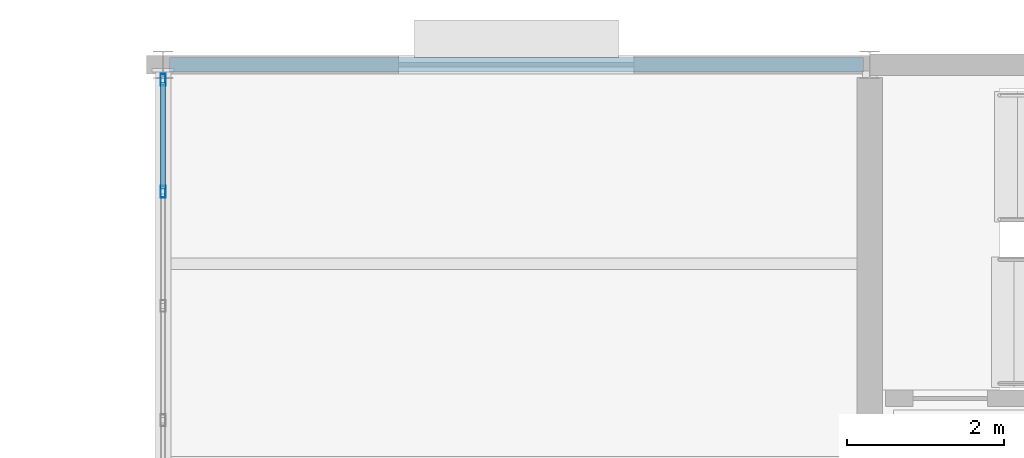
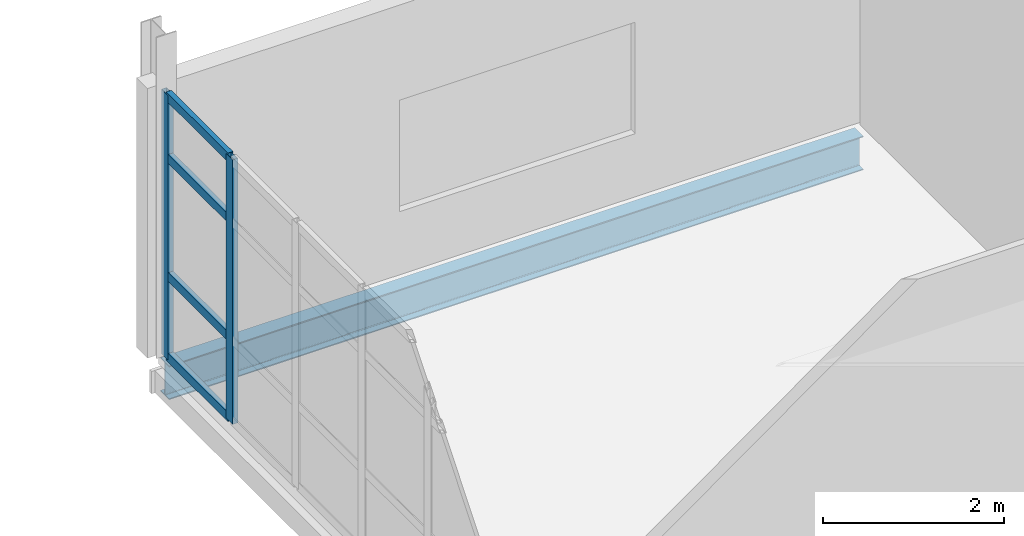
# One storey, part 110 of 174: 6 members, 1 beam, 1 element without a shape of its own.
"""IFC4 building model written with IfcOpenShell, lengths in metres."""

from ifc_helpers import new_model, si_unit, direction, frame, origin, origin_2d, place, context, subcontext, project, spatial, hollow_rectangle, i_section, extrude, material, material_profile, profile_set, type_object, element, aggregate, save


model = new_model("IFC4")

# Units and contexts
model_context = context("Model", 3, precision=1e-05, world=origin(), true_north=direction((0.0, 1.0)))
body_context = subcontext(model_context, "Body", "Model", "MODEL_VIEW")
ifc_project = project(units=[si_unit("LENGTHUNIT", "METRE"), si_unit("AREAUNIT", "SQUARE_METRE"), si_unit("VOLUMEUNIT", "CUBIC_METRE"), si_unit("PLANEANGLEUNIT", "RADIAN"), si_unit("MASSUNIT", "GRAM", prefix="KILO")], contexts=[model_context])

# Site, building, storey
site_placement = place(None, origin())
site = spatial("IfcSite", under=ifc_project, at=site_placement, CompositionType="ELEMENT")
building_placement = place(site_placement, origin())
building = spatial("IfcBuilding", under=site, at=building_placement, Name="Caisbarro Railhouse Central Library", CompositionType="ELEMENT")
storey_placement = place(building_placement, frame((0.0, 0.0, 5.0400390625)))
storey = spatial("IfcBuildingStorey", under=building, at=storey_placement, Name="L01", CompositionType="ELEMENT", Elevation=5.0400390625)

# Beam
ifc_material_1 = material(Name="Steel ASTM A572 Grade 50", Category="steel")
ifc_material_profile_1 = material_profile(ifc_material_1, i_section(OverallWidth=0.18994140625, OverallDepth=0.45703125, WebThickness=0.009033203125, FlangeThickness=0.014404296875, FilletRadius=0.01806640625, at=origin_2d()), Name="W460X74.0")
ifc_profile_set_1 = profile_set([ifc_material_profile_1], Name="Steel ASTM A572 Grade 50")
beam_type = type_object("IfcBeamType", Name="BM-SP01", PredefinedType="SPANDREL", material=ifc_profile_set_1)
beam_placement = place(storey_placement, frame((117.080078125, 114.0, -0.448486328125), z_axis=(1.0, 0.0, 0.0), x_axis=(0.0, 1.0, 0.0)))
element("IfcBeam", 1, at=beam_placement, inside=storey, type_object=beam_type, Name="SP01 beam L01 #927", PredefinedType="SPANDREL", context=body_context, shape_type="SweptSolid", body=[
    extrude(i_section(OverallWidth=0.18994140625, OverallDepth=0.45703125, WebThickness=0.009033203125, FlangeThickness=0.014404296875, FilletRadius=0.01806640625, at=origin_2d()), origin(), (0.0, 0.0, 1.0), 8.83984375),
])

# Curtain wall, members
ifc_material_2 = material(Name="Anodised architectural aluminium", Category="aluminium")
curtain_wall_type = type_object("IfcCurtainWallType", Name="CW-CW03", PredefinedType="NOTDEFINED", material=ifc_material_2)
curtain_wall_placement = place(storey_placement, origin())
curtain_wall = element("IfcCurtainWall", 2, at=curtain_wall_placement, inside=storey, type_object=curtain_wall_type, Name="CW03 curtain wall L01 #116", PredefinedType="NOTDEFINED")
ifc_material_profile_2 = material_profile(ifc_material_2, hollow_rectangle(XDim=0.06494140625, YDim=0.14990234375, WallThickness=0.00390625, at=origin_2d()), Name="ALU-MUL-65X150")
ifc_profile_set_2 = profile_set([ifc_material_profile_2], Name="Anodised architectural aluminium")
member_type_1 = type_object("IfcMemberType", Name="CWM-M02", PredefinedType="MULLION", material=ifc_profile_set_2)
member_1_placement = place(storey_placement, frame((117.0, 112.384033203125, 0.0), z_axis=(0.0, 0.0, 1.0), x_axis=(-1.0, 0.0, 0.0)))
member_1 = element("IfcMember", 3, at=member_1_placement, type_object=member_type_1, Name="CW03 mullion 5", PredefinedType="MULLION", context=body_context, shape_type="SweptSolid", body=[
    extrude(hollow_rectangle(XDim=0.06494140625, YDim=0.14990234375, WallThickness=0.00390625, at=origin_2d()), origin(), (0.0, 0.0, 1.0), 3.56005859375),
])
member_2_placement = place(storey_placement, frame((117.0, 113.8076171875, 0.0), z_axis=(0.0, 0.0, 1.0), x_axis=(-1.0, 0.0, 0.0)))
member_2 = element("IfcMember", 4, at=member_2_placement, type_object=member_type_1, Name="CW03 mullion 6", PredefinedType="MULLION", context=body_context, shape_type="SweptSolid", body=[
    extrude(hollow_rectangle(XDim=0.06494140625, YDim=0.14990234375, WallThickness=0.00390625, at=origin_2d()), origin(), (0.0, 0.0, 1.0), 3.56005859375),
])
ifc_material_profile_3 = material_profile(ifc_material_2, hollow_rectangle(XDim=0.06494140625, YDim=0.1201171875, WallThickness=0.00341796875, at=origin_2d()), Name="ALU-TRN-65X120")
ifc_profile_set_3 = profile_set([ifc_material_profile_3], Name="Anodised architectural aluminium")
member_type_2 = type_object("IfcMemberType", Name="CWT-T02", PredefinedType="USERDEFINED", material=ifc_profile_set_3)
member_3_placement = place(storey_placement, frame((117.0, 112.41650390625, 0.032470703125), z_axis=(0.0, 1.0, 0.0), x_axis=(-1.0, 0.0, 0.0)))
member_3 = element("IfcMember", 5, at=member_3_placement, type_object=member_type_2, Name="CW03 transom 5.1", ObjectType="TRANSOM", PredefinedType="USERDEFINED", context=body_context, shape_type="SweptSolid", body=[
    extrude(hollow_rectangle(XDim=0.06494140625, YDim=0.1201171875, WallThickness=0.00341796875, at=origin_2d()), origin(), (0.0, 0.0, 1.0), 1.3583984375),
])
member_4_placement = place(storey_placement, frame((117.0, 112.41650390625, 1.119873046875), z_axis=(0.0, 1.0, 0.0), x_axis=(-1.0, 0.0, 0.0)))
member_4 = element("IfcMember", 6, at=member_4_placement, type_object=member_type_2, Name="CW03 transom 5.2", ObjectType="TRANSOM", PredefinedType="USERDEFINED", context=body_context, shape_type="SweptSolid", body=[
    extrude(hollow_rectangle(XDim=0.06494140625, YDim=0.1201171875, WallThickness=0.00341796875, at=origin_2d()), origin(), (0.0, 0.0, 1.0), 1.3583984375),
])
member_5_placement = place(storey_placement, frame((117.0, 112.41650390625, 2.7099609375), z_axis=(0.0, 1.0, 0.0), x_axis=(-1.0, 0.0, 0.0)))
member_5 = element("IfcMember", 7, at=member_5_placement, type_object=member_type_2, Name="CW03 transom 5.3", ObjectType="TRANSOM", PredefinedType="USERDEFINED", context=body_context, shape_type="SweptSolid", body=[
    extrude(hollow_rectangle(XDim=0.06494140625, YDim=0.1201171875, WallThickness=0.00341796875, at=origin_2d()), origin(), (0.0, 0.0, 1.0), 1.3583984375),
])
member_6_placement = place(storey_placement, frame((117.0, 112.41650390625, 3.52734375), z_axis=(0.0, 1.0, 0.0), x_axis=(-1.0, 0.0, 0.0)))
member_6 = element("IfcMember", 8, at=member_6_placement, type_object=member_type_2, Name="CW03 transom 5.4", ObjectType="TRANSOM", PredefinedType="USERDEFINED", context=body_context, shape_type="SweptSolid", body=[
    extrude(hollow_rectangle(XDim=0.06494140625, YDim=0.1201171875, WallThickness=0.00341796875, at=origin_2d()), origin(), (0.0, 0.0, 1.0), 1.3583984375),
])
aggregate(curtain_wall, [member_1, member_2, member_3, member_4, member_5, member_6])

save(model, "model.ifc")
